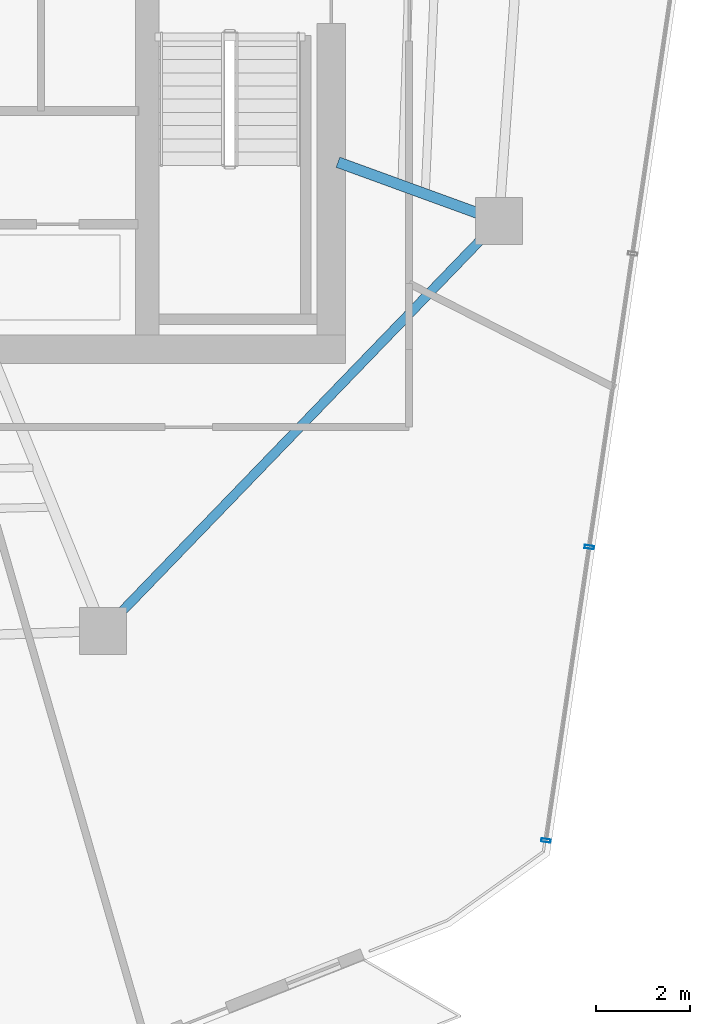
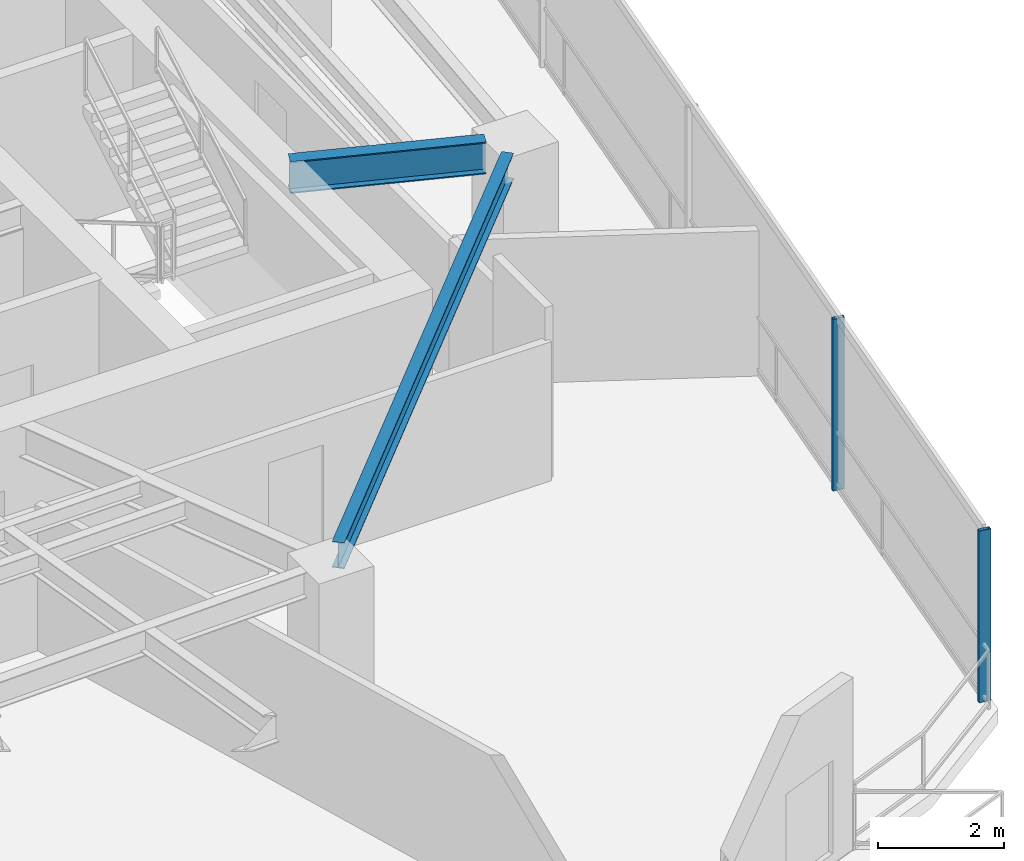
# One storey, part 7 of 20: 2 beams, 2 members, 1 element without a shape of its own.
"""IFC4 building model written with IfcOpenShell, lengths in metres."""

from ifc_helpers import new_model, si_unit, direction, frame, origin, origin_2d, place, context, subcontext, project, spatial, hollow_rectangle, i_section, extrude, material, layer, layer_set, material_profile, profile_set, type_object, element, aggregate, save


model = new_model("IFC4")

# Units and contexts
model_context = context("Model", 3, precision=1e-05, world=origin(), true_north=direction((0.0, 1.0)))
body_context = subcontext(model_context, "Body", "Model", "MODEL_VIEW")
ifc_project = project(units=[si_unit("LENGTHUNIT", "METRE"), si_unit("AREAUNIT", "SQUARE_METRE"), si_unit("VOLUMEUNIT", "CUBIC_METRE"), si_unit("PLANEANGLEUNIT", "RADIAN"), si_unit("MASSUNIT", "GRAM", prefix="KILO")], contexts=[model_context])

# Site, building, storey
site_placement = place(None, origin())
site = spatial("IfcSite", under=ifc_project, at=site_placement, CompositionType="ELEMENT")
building_placement = place(site_placement, origin())
building = spatial("IfcBuilding", under=site, at=building_placement, Name="Qarnah Convention Tower", CompositionType="ELEMENT")
storey_placement = place(building_placement, frame((0.0, 0.0, 147.300048828125)))
storey = spatial("IfcBuildingStorey", under=building, at=storey_placement, Name="L39", CompositionType="ELEMENT", Elevation=147.300048828125)

# Beams
ifc_material_1 = material(Name="Structural steel S355JR", Category="steel")
ifc_material_profile_1 = material_profile(ifc_material_1, i_section(OverallWidth=0.22998046875, OverallDepth=0.617919921875, WebThickness=0.012939453125, FlangeThickness=0.02197265625, at=origin_2d()), Name="W610X140")
ifc_profile_set_1 = profile_set([ifc_material_profile_1], Name="Structural steel S355JR")
beam_type_1 = type_object("IfcBeamType", Name="BM-RAD-W610A", PredefinedType="BEAM", material=ifc_profile_set_1)
beam_1_placement = place(storey_placement, frame((47.740966796875, 22.56396484375, 3.010986328125), z_axis=(0.939610124669, -0.342246714549, 0.0), x_axis=(0.342246714549, 0.939610124669, 0.0)))
element("IfcBeam", 1, at=beam_1_placement, inside=storey, type_object=beam_type_1, Name="L39 beam BM-L39-RAD-09", PredefinedType="BEAM", context=body_context, shape_type="SweptSolid", body=[
    extrude(i_section(OverallWidth=0.22998046875, OverallDepth=0.617919921875, WebThickness=0.012939453125, FlangeThickness=0.02197265625, at=origin_2d()), origin(), (0.0, 0.0, 1.0), 3.15234375),
])
ifc_material_profile_2 = material_profile(ifc_material_1, i_section(OverallWidth=0.199951171875, OverallDepth=0.5, WebThickness=0.010009765625, FlangeThickness=0.01611328125, at=origin_2d()), Name="IPE500")
ifc_profile_set_2 = profile_set([ifc_material_profile_2], Name="Structural steel S355JR")
beam_type_2 = type_object("IfcBeamType", Name="BM-SPN-IPE500", PredefinedType="SPANDREL", material=ifc_profile_set_2)
beam_2_placement = place(storey_placement, frame((43.10302734375, 12.98291015625, 3.070068359375), z_axis=(0.694605503013, 0.719390850084, 0.0), x_axis=(-0.719390850084, 0.694605503013, 0.0)))
element("IfcBeam", 2, at=beam_2_placement, inside=storey, type_object=beam_type_2, Name="L39 spandrel BM-L39-SPN-08", PredefinedType="SPANDREL", context=body_context, shape_type="SweptSolid", body=[
    extrude(i_section(OverallWidth=0.199951171875, OverallDepth=0.5, WebThickness=0.010009765625, FlangeThickness=0.01611328125, at=origin_2d()), origin(), (0.0, 0.0, 1.0), 11.10107421875),
])

# Curtain wall, members
ifc_material_2 = material(Name="Tempered Low-E dark glass", Category="glass")
ifc_layer = layer(ifc_material_2, 0.172119140625)
ifc_layer_set = layer_set([ifc_layer], Name="Tempered Low-E dark glass")
curtain_wall_type = type_object("IfcCurtainWallType", Name="CWS-03", PredefinedType="NOTDEFINED", material=ifc_layer_set)
curtain_wall_placement = place(storey_placement, origin())
curtain_wall = element("IfcCurtainWall", 3, at=curtain_wall_placement, inside=storey, type_object=curtain_wall_type, Name="L39 unitised curtain wall CW-L39-F1", PredefinedType="NOTDEFINED")
ifc_material_3 = material(Name="Black anodised aluminium", Category="aluminium")
ifc_material_profile_3 = material_profile(ifc_material_3, hollow_rectangle(XDim=0.070068359375, YDim=0.199951171875, WallThickness=0.0048828125, at=origin_2d()), Name="MUL-70X200")
ifc_profile_set_3 = profile_set([ifc_material_profile_3], Name="Black anodised aluminium")
member_type = type_object("IfcMemberType", Name="MUL-T3", PredefinedType="MULLION", material=ifc_profile_set_3)
member_1_placement = place(storey_placement, frame((53.067138671875, 14.408203125, 0.0), z_axis=(0.0, 0.0, 1.0), x_axis=(-0.146079316359, -0.989272881126, 0.0)))
member_1 = element("IfcMember", 4, at=member_1_placement, type_object=member_type, Name="CW-L39-F1 mullion 5", PredefinedType="MULLION", context=body_context, shape_type="SweptSolid", body=[
    extrude(hollow_rectangle(XDim=0.070068359375, YDim=0.199951171875, WallThickness=0.0048828125, at=origin_2d()), origin(), (0.0, 0.0, 1.0), 3.320068359375),
])
member_2_placement = place(storey_placement, frame((52.14892578125, 8.18994140625, 0.0), z_axis=(0.0, 0.0, 1.0), x_axis=(-0.146079316359, -0.989272881126, 0.0)))
member_2 = element("IfcMember", 5, at=member_2_placement, type_object=member_type, Name="CW-L39-F1 mullion 6", PredefinedType="MULLION", context=body_context, shape_type="SweptSolid", body=[
    extrude(hollow_rectangle(XDim=0.070068359375, YDim=0.199951171875, WallThickness=0.0048828125, at=origin_2d()), origin(), (0.0, 0.0, 1.0), 3.320068359375),
])
aggregate(curtain_wall, [member_1, member_2])

save(model, "model.ifc")
